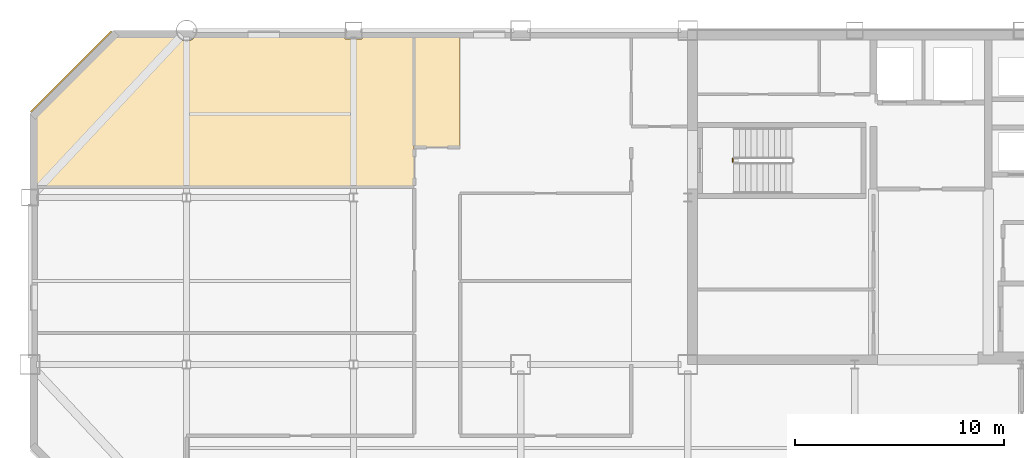
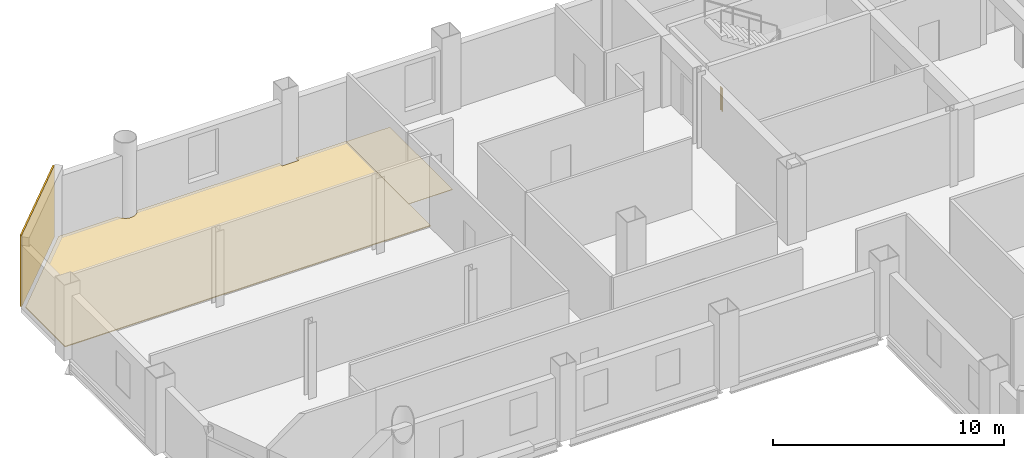
# One storey, part 9 of 10: 3 coverings, 1 railing.
"""IFC4 building model written with IfcOpenShell, lengths in metres."""

from ifc_helpers import new_model, si_unit, direction, frame, origin, origin_2d, place, context, subcontext, project, spatial, polyline, rectangle, circle, outline, extrude, material, layer, layer_set, type_object, element, save


model = new_model("IFC4")

# Units and contexts
model_context = context("Model", 3, precision=1e-05, world=origin(), true_north=direction((0.0, 1.0)))
body_context = subcontext(model_context, "Body", "Model", "MODEL_VIEW")
ifc_project = project(units=[si_unit("LENGTHUNIT", "METRE"), si_unit("AREAUNIT", "SQUARE_METRE"), si_unit("VOLUMEUNIT", "CUBIC_METRE"), si_unit("PLANEANGLEUNIT", "RADIAN"), si_unit("MASSUNIT", "GRAM", prefix="KILO")], contexts=[model_context])

# Site, building, storey
site_placement = place(None, origin())
site = spatial("IfcSite", under=ifc_project, at=site_placement, CompositionType="ELEMENT")
building_placement = place(site_placement, origin())
building = spatial("IfcBuilding", under=site, at=building_placement, Name="Qianrong Seaharbour Tower", CompositionType="ELEMENT")
storey_placement = place(building_placement, frame((0.0, 0.0, 257.800048828125)))
storey = spatial("IfcBuildingStorey", under=building, at=storey_placement, Name="L62", CompositionType="ELEMENT", Elevation=257.800048828125)

# Coverings
ifc_material_1 = material(Name="Unitised red brick cladding on Precast concrete C45/55", Category="masonry")
ifc_layer_1 = layer(ifc_material_1, 0.080078125)
ifc_layer_set_1 = layer_set([ifc_layer_1], Name="Unitised red brick cladding on Precast concrete C45/55")
covering_type_1 = type_object("IfcCoveringType", Name="COV-CLAD-RED-BRICK-80", PredefinedType="CLADDING", material=ifc_layer_set_1)
covering_1_placement = place(storey_placement, frame((10.9716796875, 50.0283203125, 0.0), z_axis=(0.0, 0.0, 1.0), x_axis=(0.707106781187, 0.707106781187, 0.0)))
element("IfcCovering", 1, at=covering_1_placement, inside=storey, type_object=covering_type_1, Name="L62 Chamfer Corner Brick Cladding 04", PredefinedType="CLADDING", context=body_context, shape_type="SweptSolid", body=[
    extrude(rectangle(XDim=5.456787109375, YDim=0.080078125, at=origin_2d()), origin(), (0.0, 0.0, 1.0), 3.77490234375),
])
ifc_material_2 = material(Name="Acoustic modular carpet tile flooring")
ifc_layer_2 = layer(ifc_material_2, 0.02001953125)
ifc_layer_set_2 = layer_set([ifc_layer_2], Name="Acoustic modular carpet tile flooring")
covering_type_2 = type_object("IfcCoveringType", Name="COV-FLOOR-CARPET-20", PredefinedType="FLOORING", material=ifc_layer_set_2)
covering_2_placement = place(storey_placement, origin())
element("IfcCovering", 2, at=covering_2_placement, inside=storey, type_object=covering_type_2, Name="L62 Wellness Exercise Hall Finish Flooring", PredefinedType="FLOORING", context=body_context, shape_type="SweptSolid", body=[
    extrude(outline(polyline([(29.60009765625, 46.39990234375), (27.39990234375, 46.39990234375), (27.39990234375, 51.824951171875), (29.60009765625, 51.824951171875), (29.60009765625, 46.39990234375)])), origin(), (0.0, 0.0, 1.0), 0.02001953125),
])
ifc_material_3 = material(Name="Calcium-sulphate raised access floor tile")
ifc_layer_3 = layer(ifc_material_3, 0.044921875)
ifc_layer_set_3 = layer_set([ifc_layer_3], Name="Calcium-sulphate raised access floor tile")
covering_type_3 = type_object("IfcCoveringType", Name="COV-FLOOR-RAISED-45", PredefinedType="FLOORING", material=ifc_layer_set_3)
covering_3_placement = place(storey_placement, origin())
element("IfcCovering", 3, at=covering_3_placement, inside=storey, type_object=covering_type_3, Name="L62 Case Coordinator Office 3 Finish Flooring", PredefinedType="FLOORING", context=body_context, shape_type="SweptSolid", body=[
    extrude(outline(polyline([(9.175048828125, 47.927490234375), (13.072509765625, 51.824951171875), (16.022705078125, 51.824951171875), (16.02880859375, 51.8046875), (16.075927734375, 51.716796875), (16.139404296875, 51.639404296875), (16.216796875, 51.575927734375), (16.3046875, 51.52880859375), (16.400390625, 51.499755859375), (16.5, 51.489990234375), (16.599609375, 51.499755859375), (16.6953125, 51.52880859375), (16.783203125, 51.575927734375), (16.860595703125, 51.639404296875), (16.924072265625, 51.716796875), (16.97119140625, 51.8046875), (16.977294921875, 51.824951171875), (24.090087890625, 51.824951171875), (24.090087890625, 51.590087890625), (24.909912109375, 51.590087890625), (24.909912109375, 51.824951171875), (27.39990234375, 51.824951171875), (27.39990234375, 44.5), (9.175048828125, 44.5), (9.175048828125, 47.927490234375)])), origin(), (0.0, 0.0, 1.0), 0.044921875),
])

# Railing
ifc_material_4 = material(Name="Galvanized painted steel SN400B stair guard", Category="steel")
railing_type = type_object("IfcRailingType", Name="RAIL-STAIR-GUARD-1220", PredefinedType="GUARDRAIL", material=ifc_material_4)
railing_placement = place(storey_placement, frame((42.64990234375, 45.699951171875, 0.0)))
element("IfcRailing", 4, at=railing_placement, inside=storey, type_object=railing_type, Name="L62 ST-1 stair guard 4", PredefinedType="GUARDRAIL", context=body_context, shape_type="SweptSolid", body=[
    extrude(circle(Radius=0.02392578125, at=origin_2d()), frame((0.0, 0.0, 1.19580078125), z_axis=(0.0, 1.0, 0.0), x_axis=(-1.0, 0.0, 0.0)), (0.0, 0.0, 1.0), 0.150146484375),
    extrude(circle(Radius=0.02099609375, at=origin_2d()), origin(), (0.0, 0.0, 1.0), 1.171875),
    extrude(circle(Radius=0.02099609375, at=origin_2d()), frame((0.0, 0.150146484375, 0.0)), (0.0, 0.0, 1.0), 1.171875),
])

save(model, "model.ifc")
